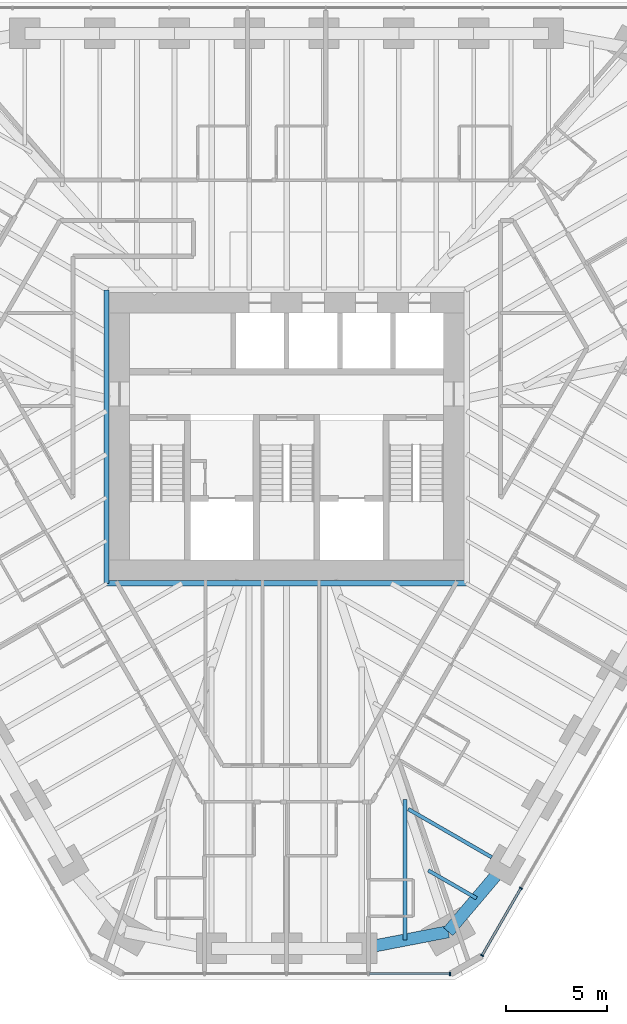
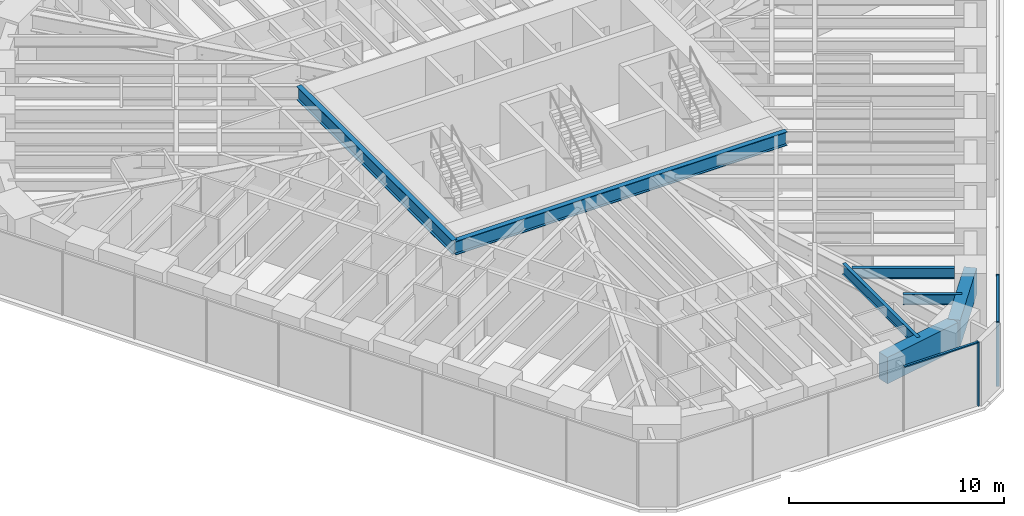
# One storey, part 4 of 16: 7 beams, 5 members, 2 elements without a shape of their own.
"""IFC4 building model written with IfcOpenShell, lengths in metres."""

from ifc_helpers import new_model, si_unit, direction, frame, origin, origin_2d, place, context, subcontext, project, spatial, rectangle, i_section, extrude, material, material_profile, profile_set, type_object, element, aggregate, save


model = new_model("IFC4")

# Units and contexts
model_context = context("Model", 3, precision=1e-05, world=origin(), true_north=direction((0.0, 1.0)))
body_context = subcontext(model_context, "Body", "Model", "MODEL_VIEW")
ifc_project = project(units=[si_unit("LENGTHUNIT", "METRE"), si_unit("AREAUNIT", "SQUARE_METRE"), si_unit("VOLUMEUNIT", "CUBIC_METRE"), si_unit("PLANEANGLEUNIT", "RADIAN"), si_unit("MASSUNIT", "GRAM", prefix="KILO")], contexts=[model_context])

# Site, building, storey
site_placement = place(None, origin())
site = spatial("IfcSite", under=ifc_project, at=site_placement, CompositionType="ELEMENT")
building_placement = place(site_placement, origin())
building = spatial("IfcBuilding", under=site, at=building_placement, Name="Sandreach Pilgrim Tower", CompositionType="ELEMENT")
storey_placement = place(building_placement, frame((0.0, 0.0, 190.800048828125)))
storey = spatial("IfcBuildingStorey", under=building, at=storey_placement, Name="L47", CompositionType="ELEMENT", Elevation=190.800048828125)

# Curtain wall, members
ifc_material_1 = material(Name="Aluminium framed curtain wall", Category="aluminium")
curtain_wall_type = type_object("IfcCurtainWallType", Name="Upper hotel tower curtain wall", PredefinedType="NOTDEFINED", material=ifc_material_1)
curtain_wall_1_placement = place(storey_placement, origin())
curtain_wall_1 = element("IfcCurtainWall", 1, at=curtain_wall_1_placement, inside=storey, type_object=curtain_wall_type, Name="CW-3 L47 SE", PredefinedType="NOTDEFINED")
ifc_material_2 = material(Name="Aluminium extrusion", Category="aluminium")
ifc_material_profile_1 = material_profile(ifc_material_2, rectangle(XDim=0.06494140625, YDim=0.159912109375, at=origin_2d()), Name="CW-3M 65X160")
ifc_profile_set_1 = profile_set([ifc_material_profile_1], Name="Aluminium extrusion")
member_type_1 = type_object("IfcMemberType", Name="CW-3 mullion", PredefinedType="MULLION", material=ifc_profile_set_1)
member_1_placement = place(storey_placement, frame((11.5625, -22.29345703125, 0.0), z_axis=(0.0, 0.0, 1.0), x_axis=(-0.5, -0.866025403784, 0.0)))
member_1 = element("IfcMember", 2, at=member_1_placement, type_object=member_type_1, Name="CW-3 mullion 9", PredefinedType="MULLION", context=body_context, shape_type="SweptSolid", body=[
    extrude(rectangle(XDim=0.06494140625, YDim=0.159912109375, at=origin_2d()), origin(), (0.0, 0.0, 1.0), 3.639892578125),
])
member_2_placement = place(storey_placement, frame((9.646484375, -25.612060546875, 0.0), z_axis=(0.0, 0.0, 1.0), x_axis=(-0.5, -0.866025403784, 0.0)))
member_2 = element("IfcMember", 3, at=member_2_placement, type_object=member_type_1, Name="CW-3 mullion 10", PredefinedType="MULLION", context=body_context, shape_type="SweptSolid", body=[
    extrude(rectangle(XDim=0.06494140625, YDim=0.159912109375, at=origin_2d()), origin(), (0.0, 0.0, 1.0), 3.639892578125),
])

# Curtain wall, member
curtain_wall_2_placement = place(storey_placement, origin())
curtain_wall_2 = element("IfcCurtainWall", 4, at=curtain_wall_2_placement, inside=storey, type_object=curtain_wall_type, Name="CW-3 L47 S", PredefinedType="NOTDEFINED")
member_3_placement = place(storey_placement, frame((8.06494140625, -26.525146484375, 0.0), z_axis=(0.0, 0.0, 1.0), x_axis=(-1.0, 0.0, 0.0)))
member_3 = element("IfcMember", 5, at=member_3_placement, type_object=member_type_1, Name="CW-3 mullion 1", PredefinedType="MULLION", context=body_context, shape_type="SweptSolid", body=[
    extrude(rectangle(XDim=0.06494140625, YDim=0.159912109375, at=origin_2d()), origin(), (0.0, 0.0, 1.0), 3.639892578125),
])

# Member
ifc_material_3 = material(Name="Aluminium extrusion", Category="aluminium")
ifc_material_profile_2 = material_profile(ifc_material_3, rectangle(XDim=0.1201171875, YDim=0.070068359375, at=origin_2d()), Name="CW-3T 120X70")
ifc_profile_set_2 = profile_set([ifc_material_profile_2], Name="Aluminium extrusion")
member_type_2 = type_object("IfcMemberType", Name="CW-3 transom", PredefinedType="USERDEFINED", material=ifc_profile_set_2)
member_4_placement = place(storey_placement, frame((11.546142578125, -22.321533203125, 3.60498046875), z_axis=(-0.499973055223, -0.8660409598, 0.0), x_axis=(0.8660409598, -0.499973055223, 0.0)))
member_4 = element("IfcMember", 6, at=member_4_placement, type_object=member_type_2, Name="CW-3 head transom 9", ObjectType="TRANSOM", PredefinedType="USERDEFINED", context=body_context, shape_type="SweptSolid", body=[
    extrude(rectangle(XDim=0.1201171875, YDim=0.070068359375, at=origin_2d()), origin(), (0.0, 0.0, 1.0), 3.766845703125),
])

aggregate(curtain_wall_1, [member_1, member_2, member_4])

member_5_placement = place(storey_placement, frame((8.032470703125, -26.525146484375, 3.60498046875), z_axis=(-1.0, 0.0, 0.0), x_axis=(0.0, -1.0, 0.0)))
member_5 = element("IfcMember", 7, at=member_5_placement, type_object=member_type_2, Name="CW-3 head transom 1", ObjectType="TRANSOM", PredefinedType="USERDEFINED", context=body_context, shape_type="SweptSolid", body=[
    extrude(rectangle(XDim=0.1201171875, YDim=0.070068359375, at=origin_2d()), origin(), (0.0, 0.0, 1.0), 3.951171875),
])

aggregate(curtain_wall_2, [member_3, member_5])

# Beams
ifc_material_4 = material(Name="Steel ASTM A992 Grade 50", Category="steel")
ifc_material_profile_3 = material_profile(ifc_material_4, i_section(OverallWidth=0.2666015625, OverallDepth=0.77978515625, WebThickness=0.0166015625, FlangeThickness=0.030029296875, at=origin_2d()), Name="W30X148")
ifc_profile_set_3 = profile_set([ifc_material_profile_3], Name="Steel ASTM A992 Grade 50")
beam_type_1 = type_object("IfcBeamType", Name="Core edge beam W30X148", PredefinedType="BEAM", material=ifc_profile_set_3)
beam_1_placement = place(storey_placement, frame((8.893310546875, -7.243408203125, 3.25), z_axis=(-1.0, 0.0, 0.0), x_axis=(0.0, -1.0, 0.0)))
element("IfcBeam", 8, at=beam_1_placement, inside=storey, type_object=beam_type_1, Name="BM L47 CES", PredefinedType="BEAM", context=body_context, shape_type="SweptSolid", body=[
    extrude(i_section(OverallWidth=0.2666015625, OverallDepth=0.77978515625, WebThickness=0.0166015625, FlangeThickness=0.030029296875, at=origin_2d()), origin(), (0.0, 0.0, 1.0), 17.78662109375),
])
beam_2_placement = place(storey_placement, frame((-8.893310546875, -7.243408203125, 3.25), z_axis=(0.0, 1.0, 0.0), x_axis=(-1.0, 0.0, 0.0)))
element("IfcBeam", 9, at=beam_2_placement, inside=storey, type_object=beam_type_1, Name="BM L47 CEW", PredefinedType="BEAM", context=body_context, shape_type="SweptSolid", body=[
    extrude(i_section(OverallWidth=0.2666015625, OverallDepth=0.77978515625, WebThickness=0.0166015625, FlangeThickness=0.030029296875, at=origin_2d()), origin(), (0.0, 0.0, 1.0), 14.48681640625),
])
ifc_material_5 = material(Name="Steel ASTM A992 Grade 50", Category="steel")
ifc_material_profile_4 = material_profile(ifc_material_5, i_section(OverallWidth=0.1787109375, OverallDepth=0.60205078125, WebThickness=0.010986328125, FlangeThickness=0.014892578125, at=origin_2d()), Name="W24X62")
ifc_profile_set_4 = profile_set([ifc_material_profile_4], Name="Steel ASTM A992 Grade 50")
beam_type_2 = type_object("IfcBeamType", Name="Floor beam W24X62", PredefinedType="BEAM", material=ifc_profile_set_4)
beam_3_placement = place(storey_placement, frame((10.12255859375, -20.767333984375, 3.3388671875), z_axis=(-0.86603347311, 0.499986023258, 0.0), x_axis=(-0.499986023258, -0.86603347311, 0.0)))
element("IfcBeam", 10, at=beam_3_placement, inside=storey, type_object=beam_type_2, Name="BM L47 F21", PredefinedType="BEAM", context=body_context, shape_type="SweptSolid", body=[
    extrude(i_section(OverallWidth=0.1787109375, OverallDepth=0.60205078125, WebThickness=0.010986328125, FlangeThickness=0.014892578125, at=origin_2d()), origin(), (0.0, 0.0, 1.0), 4.757568359375),
])
beam_4_placement = place(storey_placement, frame((9.375244140625, -22.7919921875, 3.3388671875), z_axis=(-0.866046803606, 0.49996293259, 0.0), x_axis=(-0.49996293259, -0.866046803606, 0.0)))
element("IfcBeam", 11, at=beam_4_placement, inside=storey, type_object=beam_type_2, Name="BM L47 FM21", PredefinedType="BEAM", context=body_context, shape_type="SweptSolid", body=[
    extrude(i_section(OverallWidth=0.1787109375, OverallDepth=0.60205078125, WebThickness=0.010986328125, FlangeThickness=0.014892578125, at=origin_2d()), origin(), (0.0, 0.0, 1.0), 2.753662109375),
])
beam_5_placement = place(storey_placement, frame((5.844482421875, -24.853515625, 3.3388671875), z_axis=(0.0, 1.0, 0.0), x_axis=(-1.0, 0.0, 0.0)))
element("IfcBeam", 12, at=beam_5_placement, inside=storey, type_object=beam_type_2, Name="BM L47 FM22", PredefinedType="BEAM", context=body_context, shape_type="SweptSolid", body=[
    extrude(i_section(OverallWidth=0.1787109375, OverallDepth=0.60205078125, WebThickness=0.010986328125, FlangeThickness=0.014892578125, at=origin_2d()), origin(), (0.0, 0.0, 1.0), 6.94921875),
])
ifc_material_6 = material(Name="Concrete 10000 psi", Category="concrete")
ifc_material_profile_5 = material_profile(ifc_material_6, rectangle(XDim=0.60009765625, YDim=1.5, at=origin_2d()), Name="RC600X1500")
ifc_profile_set_5 = profile_set([ifc_material_profile_5], Name="Concrete 10000 psi")
beam_type_3 = type_object("IfcBeamType", Name="Spandrel beam RC600X1500", PredefinedType="SPANDREL", material=ifc_profile_set_5)
beam_6_placement = place(storey_placement, frame((10.772216796875, -21.142333984375, 2.889892578125), z_axis=(-0.646180160755, -0.76318490541, 0.0), x_axis=(0.76318490541, -0.646180160755, 0.0)))
element("IfcBeam", 13, at=beam_6_placement, inside=storey, type_object=beam_type_3, Name="BM L47 SP21", PredefinedType="SPANDREL", context=body_context, shape_type="SweptSolid", body=[
    extrude(rectangle(XDim=0.60009765625, YDim=1.5, at=origin_2d()), origin(), (0.0, 0.0, 1.0), 4.323486328125),
])
beam_7_placement = place(storey_placement, frame((7.978515625, -24.44189453125, 2.889892578125), z_axis=(-0.981901333807, -0.18939316426, 0.0), x_axis=(0.18939316426, -0.981901333807, 0.0)))
element("IfcBeam", 14, at=beam_7_placement, inside=storey, type_object=beam_type_3, Name="BM L47 SP22", PredefinedType="SPANDREL", context=body_context, shape_type="SweptSolid", body=[
    extrude(rectangle(XDim=0.60009765625, YDim=1.5, at=origin_2d()), origin(), (0.0, 0.0, 1.0), 4.3466796875),
])

save(model, "model.ifc")
